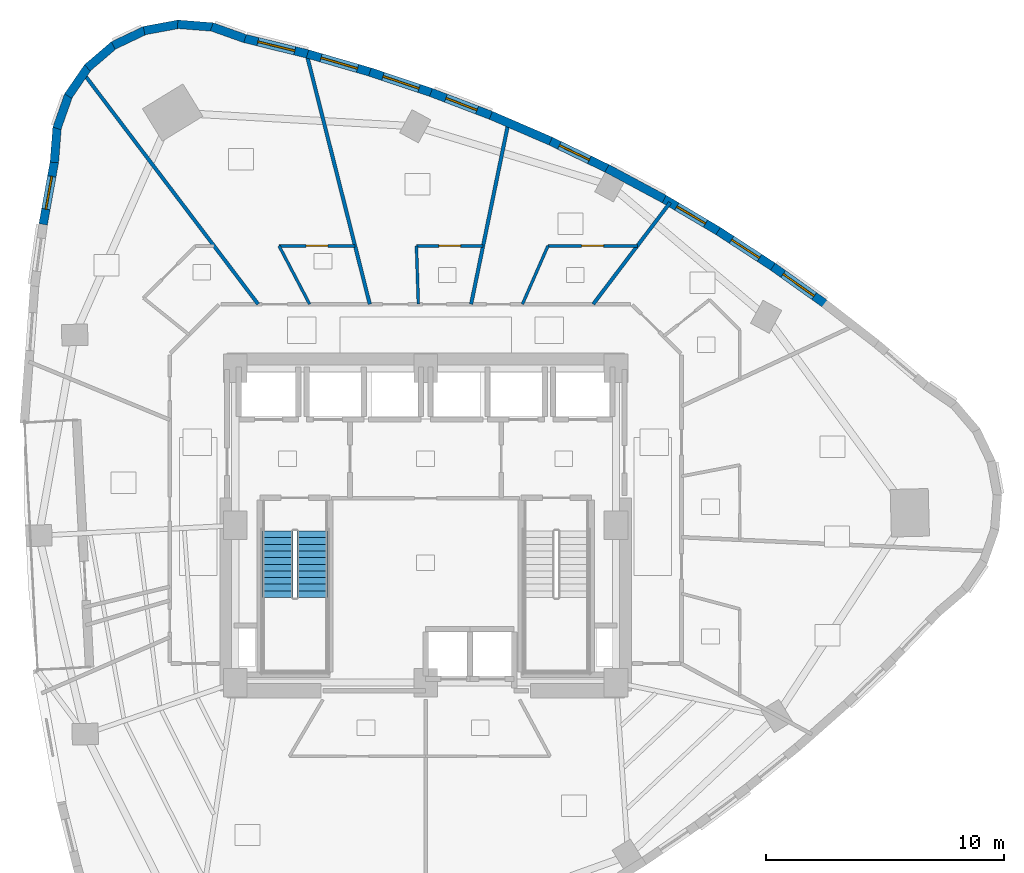
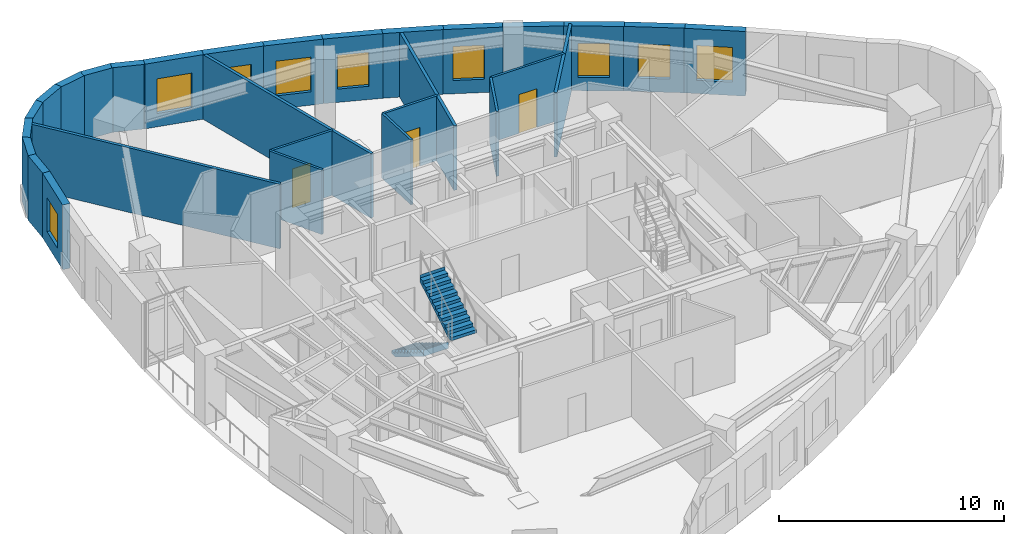
# One storey, part 8 of 12: 29 walls, 9 windows, 3 doors, 2 stair flights, 12 openings, 1 element without a shape of its own.
"""IFC4 building model written with IfcOpenShell, lengths in metres."""

import ifcopenshell
import ifcopenshell.guid

model = None  # the IFC model being written
_history = None  # IfcOwnerHistory: only IFC2X3 demands one
_inside = {}  # id of a spatial element -> (the spatial element, [elements in it])
_under = {}  # id of a project, library or spatial element -> (it, [spatial elements below it])
_declared = {}  # id of a project -> (the project, [libraries it declares])
_typed = {}  # id of a type object -> (the type object, [elements of that type])
_made_of = {}  # id of a material, layer set ... -> (it, [elements and type objects made of it])


def new_model(schema):
    """Start an empty IFC model of exactly this schema.

    Asked for "IFC4X3", IfcOpenShell would pick the latest addendum, in which some entities
    have other attributes; the version numbers below select the first issue.
    IFC2X3 requires an IfcOwnerHistory on every rooted entity: one is made here for all.
    """
    global model, _history
    if schema == "IFC4X3":
        model = ifcopenshell.file(schema_version=(4, 3, 0, 0))
    else:
        model = ifcopenshell.file(schema=schema)
    _inside.clear()
    _under.clear()
    _declared.clear()
    _typed.clear()
    _made_of.clear()
    _history = None
    if model.schema == "IFC2X3":
        org = make("IfcOrganization", Name="unknown")
        user = make(
            "IfcPersonAndOrganization",
            ThePerson=make("IfcPerson", FamilyName="unknown"),
            TheOrganization=org,
        )
        app = make(
            "IfcApplication",
            ApplicationDeveloper=org,
            Version="unknown",
            ApplicationFullName="unknown",
            ApplicationIdentifier="unknown",
        )
        _history = make(
            "IfcOwnerHistory",
            OwningUser=user,
            OwningApplication=app,
            ChangeAction="ADDED",
            CreationDate=0,
        )
    return model


def make(cls, **values):
    """One entity of the class cls with the attributes given. An attribute that is None is left unset."""
    return model.create_entity(
        cls, **{name: value for name, value in values.items() if value is not None}
    )


def rooted(cls, **values):
    """An entity with a GlobalId (a new one), such as an element, a storey or a relation."""
    return make(cls, GlobalId=ifcopenshell.guid.new(), OwnerHistory=_history, **values)


def si_unit(unit_type, name, prefix=None):
    """IfcSIUnit, for example si_unit("LENGTHUNIT", "METRE", prefix="MILLI")."""
    return make("IfcSIUnit", UnitType=unit_type, Prefix=prefix, Name=name)


def assignment(units):
    """IfcUnitAssignment: the units of a project."""
    return None if units is None else make("IfcUnitAssignment", Units=units)


def point(xyz):
    """IfcCartesianPoint."""
    return None if xyz is None else make("IfcCartesianPoint", Coordinates=xyz)


def direction(xyz):
    """IfcDirection."""
    return None if xyz is None else make("IfcDirection", DirectionRatios=xyz)


def frame(location, z_axis=None, x_axis=None):
    """IfcAxis2Placement3D, a coordinate frame: its origin and axes. An axis left out is left unset."""
    return make(
        "IfcAxis2Placement3D",
        Location=point(location),
        Axis=direction(z_axis),
        RefDirection=direction(x_axis),
    )


def frame_2d(location, x_axis=None):
    """IfcAxis2Placement2D, a coordinate frame in the plane: its origin and x axis."""
    return make(
        "IfcAxis2Placement2D", Location=point(location), RefDirection=direction(x_axis)
    )


def origin():
    """The frame at (0, 0, 0) with its axes left unset."""
    return frame((0.0, 0.0, 0.0))


def place(relative_to, where):
    """IfcLocalPlacement: puts the frame where relative to a parent placement (None: the world)."""
    return make(
        "IfcLocalPlacement", PlacementRelTo=relative_to, RelativePlacement=where
    )


def context(
    kind, dimensions, precision=None, world=None, true_north=None, identifier=None
):
    """IfcGeometricRepresentationContext, for example the 3D "Model" context."""
    return make(
        "IfcGeometricRepresentationContext",
        ContextIdentifier=identifier,
        ContextType=kind,
        CoordinateSpaceDimension=dimensions,
        Precision=precision,
        WorldCoordinateSystem=world,
        TrueNorth=true_north,
    )


def subcontext(parent, identifier, kind, view, scale=None):
    """IfcGeometricRepresentationSubContext, for example "Body" below "Model"."""
    return make(
        "IfcGeometricRepresentationSubContext",
        ContextIdentifier=identifier,
        ContextType=kind,
        ParentContext=parent,
        TargetScale=scale,
        TargetView=view,
    )


def project(units=None, contexts=None):
    """IfcProject with its units and contexts."""
    return rooted(
        "IfcProject",
        Name="project",
        RepresentationContexts=contexts,
        UnitsInContext=assignment(units),
    )


def spatial(cls, under=None, at=None, **own):
    """A site, building, storey or space (cls), placed at a placement, below another one or the project."""
    s = rooted(cls, ObjectPlacement=at, **own)
    if under is not None:
        _under.setdefault(under.id(), (under, []))[1].append(s)
    return s


def polyline(points):
    """IfcPolyline through the points."""
    return make("IfcPolyline", Points=[point(p) for p in points])


def profile(cls, at=None, kind="AREA", **sizes):
    """A parametric profile (cls). Its sizes go by their IFC names, for example OverallWidth=200.0."""
    return make(cls, ProfileType=kind, Position=at, **sizes)


def rectangle(**sizes):
    """IfcRectangleProfileDef."""
    return profile("IfcRectangleProfileDef", **sizes)


def outline(outer, holes=None, kind="AREA"):
    """IfcArbitraryClosedProfileDef: a profile drawn as a closed curve; with holes, ...WithVoids."""
    if holes is None:
        return make("IfcArbitraryClosedProfileDef", ProfileType=kind, OuterCurve=outer)
    return make(
        "IfcArbitraryProfileDefWithVoids",
        ProfileType=kind,
        OuterCurve=outer,
        InnerCurves=holes,
    )


def extrude(swept, where, along, depth):
    """IfcExtrudedAreaSolid: the profile swept, set in the frame where, extruded along a direction by depth."""
    return make(
        "IfcExtrudedAreaSolid",
        SweptArea=swept,
        Position=where,
        ExtrudedDirection=direction(along),
        Depth=depth,
    )


def shape(context_of_items, identifier, shape_type, items):
    """IfcShapeRepresentation: the items that make up one representation, for example the "Body"."""
    return make(
        "IfcShapeRepresentation",
        ContextOfItems=context_of_items,
        RepresentationIdentifier=identifier,
        RepresentationType=shape_type,
        Items=items,
    )


def material(Name=None, Category=None):
    """IfcMaterial."""
    return make("IfcMaterial", Name=Name, Category=Category)


def layer(
    of_material, thickness, ventilated=None, Name=None, Category=None, Priority=None
):
    """IfcMaterialLayer: one layer of a wall or slab, of a material (None: an air gap)."""
    return make(
        "IfcMaterialLayer",
        Material=of_material,
        LayerThickness=thickness,
        IsVentilated=ventilated,
        Name=Name,
        Category=Category,
        Priority=Priority,
    )


def layer_set(layers, Name=None):
    """IfcMaterialLayerSet."""
    return make("IfcMaterialLayerSet", MaterialLayers=layers, LayerSetName=Name)


def made_of(thing, what):
    """Note that an element or type object is made of a material, layer set ...; save() writes the relation."""
    if what is not None:
        _made_of.setdefault(what.id(), (what, []))[1].append(thing)
    return thing


def type_object(cls, material=None, **own):
    """A type object (cls), such as IfcWallType, which elements share."""
    return made_of(rooted(cls, **own), material)


def element(
    cls,
    number,
    at=None,
    inside=None,
    cuts=None,
    type_object=None,
    material=None,
    context=None,
    identifier="Body",
    shape_type=None,
    held_by="IfcProductDefinitionShape",
    body=None,
    shapes=None,
    **own,
):
    """One element of the class cls, such as IfcWall. Its Tag is "e" and its number.

    at: its placement. inside: the storey or other place that contains it. cuts: it is an
    opening in that element (IfcRelVoidsElement). A single representation is given by context,
    identifier, shape_type and body (its items); several are given by shapes. held_by: the class
    of the entity that holds the representations. save() writes the other relations.
    """
    e = rooted(cls, Tag="e%d" % number, ObjectPlacement=at, **own)
    if body is not None:
        shapes = [shape(context, identifier, shape_type, body)]
    if shapes is not None:
        e.Representation = make(held_by, Representations=shapes)
    if inside is not None:
        _inside.setdefault(inside.id(), (inside, []))[1].append(e)
    if cuts is not None:
        rooted(
            "IfcRelVoidsElement", RelatingBuildingElement=cuts, RelatedOpeningElement=e
        )
    if type_object is not None:
        _typed.setdefault(type_object.id(), (type_object, []))[1].append(e)
    return made_of(e, material)


def fill(opening, filler):
    """IfcRelFillsElement: the door or window that sits in an opening."""
    return rooted(
        "IfcRelFillsElement",
        RelatingOpeningElement=opening,
        RelatedBuildingElement=filler,
    )


def aggregate(whole, parts):
    """IfcRelAggregates: a whole, such as a stair, and the parts it consists of."""
    return rooted("IfcRelAggregates", RelatingObject=whole, RelatedObjects=parts)


def save(model, path):
    """Write the relations noted so far, then the file.

    IfcRelAggregates (storeys below a building ...), IfcRelContainedInSpatialStructure (elements
    in a storey), IfcRelDefinesByType, IfcRelAssociatesMaterial and IfcRelDeclares: one each for
    every whole, place, type object, material and project.
    """
    for whole, parts in _under.values():
        aggregate(whole, parts)
    for where, things in _inside.values():
        rooted(
            "IfcRelContainedInSpatialStructure",
            RelatedElements=things,
            RelatingStructure=where,
        )
    for kind, things in _typed.values():
        rooted("IfcRelDefinesByType", RelatedObjects=things, RelatingType=kind)
    for what, things in _made_of.values():
        rooted("IfcRelAssociatesMaterial", RelatedObjects=things, RelatingMaterial=what)
    for by, libraries in _declared.values():
        rooted("IfcRelDeclares", RelatingContext=by, RelatedDefinitions=libraries)
    model.write(path)


model = new_model("IFC4")

# Units and contexts
model_context = context("Model", 3, precision=1e-05, world=origin(), true_north=direction((0.0, 1.0)))
body_context = subcontext(model_context, "Body", "Model", "MODEL_VIEW")
ifc_project = project(units=[si_unit("LENGTHUNIT", "METRE"), si_unit("AREAUNIT", "SQUARE_METRE"), si_unit("VOLUMEUNIT", "CUBIC_METRE"), si_unit("PLANEANGLEUNIT", "RADIAN"), si_unit("MASSUNIT", "GRAM", prefix="KILO")], contexts=[model_context])

# Site, building, storey
site_placement = place(None, origin())
site = spatial("IfcSite", under=ifc_project, at=site_placement, CompositionType="ELEMENT")
building_placement = place(site_placement, origin())
building = spatial("IfcBuilding", under=site, at=building_placement, Name="Ndelora Gate Hotel", CompositionType="ELEMENT")
storey_placement = place(building_placement, frame((0.0, 0.0, 138.5)))
storey = spatial("IfcBuildingStorey", under=building, at=storey_placement, Name="L34", CompositionType="ELEMENT", Elevation=138.5)

# Walls
ifc_material_1 = material(Name="Clay Brick Masonry", Category="masonry")
ifc_layer_1 = layer(ifc_material_1, 0.360107421875)
ifc_layer_set_1 = layer_set([ifc_layer_1], Name="Clay Brick Masonry")
wall_type_1 = type_object("IfcWallType", Name="WL-BRICK-360", PredefinedType="SOLIDWALL", material=ifc_layer_set_1)
for number, where, z_axis, x_axis, name in (
    (1, (-8.98876953125, 20.9541015625, 0.0), (0.0, 0.0, 1.0), (0.942671384708, -0.33372243025, 0.0), "L34 Tower Brick Pier-and-Spandrel Wall TWR-1"),
    (2, (-10.42138671875, 21.060546875, 0.0), (0.0, 0.0, 1.0), (0.996910688745, -0.078543482647, 0.0), "L34 Tower Brick Pier-and-Spandrel Wall TWR-2"),
):
    element("IfcWall", number, at=place(storey_placement, frame(where, z_axis=z_axis, x_axis=x_axis)), inside=storey, type_object=wall_type_1, Name=name, PredefinedType="SOLIDWALL", context=body_context, shape_type="SweptSolid", body=[
        extrude(rectangle(XDim=1.48583984375, YDim=0.360107421875, at=frame_2d((0.742919921875, 0.0))), origin(), (0.0, 0.0, 1.0), 3.5),
    ])
wall_1_placement = place(storey_placement, frame((-11.8330078125, 20.792236328125, 0.0), z_axis=(0.0, 0.0, 1.0), x_axis=(0.983262389335, 0.182195152844, 0.0)))
element("IfcWall", 3, at=wall_1_placement, inside=storey, type_object=wall_type_1, Name="L34 Tower Brick Pier-and-Spandrel Wall TWR-3", PredefinedType="SOLIDWALL", context=body_context, shape_type="SweptSolid", body=[
    extrude(rectangle(XDim=1.486083984375, YDim=0.360107421875, at=frame_2d((0.7431640625, 0.0))), origin(), (0.0, 0.0, 1.0), 3.5),
])
for number, where, z_axis, x_axis, name in (
    (4, (-13.126708984375, 20.16796875, 0.0), (0.0, 0.0, 1.0), (0.902586982789, 0.430507535938, 0.0), "L34 Tower Brick Pier-and-Spandrel Wall TWR-4"),
    (5, (-14.215087890625, 19.22998046875, 0.0), (0.0, 0.0, 1.0), (0.760461582144, 0.649382924078, 0.0), "L34 Tower Brick Pier-and-Spandrel Wall TWR-5"),
):
    element("IfcWall", number, at=place(storey_placement, frame(where, z_axis=z_axis, x_axis=x_axis)), inside=storey, type_object=wall_type_1, Name=name, PredefinedType="SOLIDWALL", context=body_context, shape_type="SweptSolid", body=[
        extrude(rectangle(XDim=1.48583984375, YDim=0.360107421875, at=frame_2d((0.742919921875, 0.0))), origin(), (0.0, 0.0, 1.0), 3.5),
    ])
wall_2_placement = place(storey_placement, frame((-15.0234375, 18.04248046875, 0.0), z_axis=(0.0, 0.0, 1.0), x_axis=(0.566438155808, 0.824104250472, 0.0)))
element("IfcWall", 6, at=wall_2_placement, inside=storey, type_object=wall_type_1, Name="L34 Tower Brick Pier-and-Spandrel Wall TWR-6", PredefinedType="SOLIDWALL", context=body_context, shape_type="SweptSolid", body=[
    extrude(rectangle(XDim=1.485595703125, YDim=0.360107421875, at=frame_2d((0.74267578125, 0.0))), origin(), (0.0, 0.0, 1.0), 3.5),
])
wall_3_placement = place(storey_placement, frame((-15.496826171875, 16.685791015625, 0.0), z_axis=(0.0, 0.0, 1.0), x_axis=(0.333670746008, 0.942689680254, 0.0)))
element("IfcWall", 7, at=wall_3_placement, inside=storey, type_object=wall_type_1, Name="L34 Tower Brick Pier-and-Spandrel Wall TWR-7", PredefinedType="SOLIDWALL", context=body_context, shape_type="SweptSolid", body=[
    extrude(rectangle(XDim=1.486083984375, YDim=0.360107421875, at=frame_2d((0.7431640625, 0.0))), origin(), (0.0, 0.0, 1.0), 3.5),
])
wall_4_placement = place(storey_placement, frame((-15.60302734375, 15.25341796875, 0.0), z_axis=(0.0, 0.0, 1.0), x_axis=(0.078393018091, 0.996922531952, 0.0)))
element("IfcWall", 8, at=wall_4_placement, inside=storey, type_object=wall_type_1, Name="L34 Tower Brick Pier-and-Spandrel Wall TWR-8", PredefinedType="SOLIDWALL", context=body_context, shape_type="SweptSolid", body=[
    extrude(rectangle(XDim=1.485595703125, YDim=0.360107421875, at=frame_2d((0.74267578125, 0.0))), origin(), (0.0, 0.0, 1.0), 3.5),
])

# Wall, opening, window
wall_5_placement = place(storey_placement, frame((-16.073486328125, 12.65380859375, 0.0), z_axis=(0.0, 0.0, 1.0), x_axis=(0.177152998315, 0.984183323974, 0.0)))
wall_5 = element("IfcWall", 9, at=wall_5_placement, inside=storey, type_object=wall_type_1, Name="L34 Tower Brick Pier-and-Spandrel Wall TWR-9", PredefinedType="SOLIDWALL", context=body_context, shape_type="SweptSolid", body=[
    extrude(rectangle(XDim=2.69140625, YDim=0.360107421875, at=frame_2d((1.345703125, 0.0))), origin(), (0.0, 0.0, 1.0), 3.5),
])
opening_1_placement = place(wall_5_placement, frame((0.64599609375, 0.0, 0.719970703125)))
opening_1 = element("IfcOpeningElement", 10, at=opening_1_placement, cuts=wall_5, Name="Opening W02", PredefinedType="OPENING", context=body_context, shape_type="SweptSolid", body=[
    extrude(rectangle(XDim=1.39990234375, YDim=1.840087890625, at=frame_2d((0.699951171875, 0.919921875))), frame((0.0, 0.18994140625, 0.0), z_axis=(0.0, -1.0, 0.0), x_axis=(1.0, 0.0, 0.0)), (0.0, 0.0, 1.0), 0.380126953125),
])
ifc_material_2 = material(Name="Insulated Low-E Double Glazing in Bronze Aluminium Frame", Category="aluminium")
window_type_1 = type_object("IfcWindowType", Name="WN-DEEP-1400", PartitioningType="SINGLE_PANEL", PredefinedType="WINDOW", material=ifc_material_2)
window_1_placement = place(opening_1_placement, origin())
window_1 = element("IfcWindow", 11, at=window_1_placement, inside=storey, type_object=window_type_1, Name="L34 Deep-Set Brick-Pier Window W02", OverallHeight=1.840087890625, OverallWidth=1.39990234375, PartitioningType="SINGLE_PANEL", PredefinedType="WINDOW", context=body_context, shape_type="SweptSolid", body=[
    extrude(rectangle(XDim=1.39990234375, YDim=1.840087890625, at=frame_2d((0.699951171875, 0.919921875))), frame((0.0, 0.030029296875, 0.0), z_axis=(0.0, -1.0, 0.0), x_axis=(1.0, 0.0, 0.0)), (0.0, 0.0, 1.0), 0.06005859375),
])
fill(opening_1, window_1)

wall_6_placement = place(storey_placement, frame((14.548583984375, 10.905029296875, 0.0), z_axis=(0.0, 0.0, 1.0), x_axis=(0.814510150839, -0.580149303352, 0.0)))
wall_6 = element("IfcWall", 12, at=wall_6_placement, inside=storey, type_object=wall_type_1, Name="L34 Tower Brick Pier-and-Spandrel Wall TWR-49", PredefinedType="SOLIDWALL", context=body_context, shape_type="SweptSolid", body=[
    extrude(rectangle(XDim=2.758544921875, YDim=0.360107421875, at=frame_2d((1.37939453125, 0.0))), origin(), (0.0, 0.0, 1.0), 3.5),
])
opening_2_placement = place(wall_6_placement, frame((0.5791015625, 0.0, 0.719970703125)))
opening_2 = element("IfcOpeningElement", 13, at=opening_2_placement, cuts=wall_6, Name="Opening W03", PredefinedType="OPENING", context=body_context, shape_type="SweptSolid", body=[
    extrude(rectangle(XDim=1.60009765625, YDim=1.8798828125, at=frame_2d((0.800048828125, 0.93994140625))), frame((0.0, 0.18994140625, 0.0), z_axis=(0.0, -1.0, 0.0), x_axis=(1.0, 0.0, 0.0)), (0.0, 0.0, 1.0), 0.380126953125),
])
window_type_2 = type_object("IfcWindowType", Name="WN-CORN-2100", PartitioningType="SINGLE_PANEL", PredefinedType="WINDOW", material=ifc_material_2)
window_2_placement = place(opening_2_placement, origin())
window_2 = element("IfcWindow", 14, at=window_2_placement, inside=storey, type_object=window_type_2, Name="L34 Deep-Set Brick-Pier Window W03", OverallHeight=1.8798828125, OverallWidth=1.60009765625, PartitioningType="SINGLE_PANEL", PredefinedType="WINDOW", context=body_context, shape_type="SweptSolid", body=[
    extrude(rectangle(XDim=1.60009765625, YDim=1.8798828125, at=frame_2d((0.800048828125, 0.93994140625))), frame((0.0, 0.030029296875, 0.0), z_axis=(0.0, -1.0, 0.0), x_axis=(1.0, 0.0, 0.0)), (0.0, 0.0, 1.0), 0.06005859375),
])
fill(opening_2, window_2)

wall_7_placement = place(storey_placement, frame((12.290283203125, 12.3740234375, 0.0), z_axis=(0.0, 0.0, 1.0), x_axis=(0.838077548848, -0.545551117785, 0.0)))
wall_7 = element("IfcWall", 15, at=wall_7_placement, inside=storey, type_object=wall_type_1, Name="L34 Tower Brick Pier-and-Spandrel Wall TWR-50", PredefinedType="SOLIDWALL", context=body_context, shape_type="SweptSolid", body=[
    extrude(rectangle(XDim=2.744140625, YDim=0.360107421875, at=frame_2d((1.3720703125, 0.0))), origin(), (0.0, 0.0, 1.0), 3.5),
])
opening_3_placement = place(wall_7_placement, frame((0.672119140625, 0.0, 0.719970703125)))
opening_3 = element("IfcOpeningElement", 16, at=opening_3_placement, cuts=wall_7, Name="Opening W02", PredefinedType="OPENING", context=body_context, shape_type="SweptSolid", body=[
    extrude(rectangle(XDim=1.39990234375, YDim=1.840087890625, at=frame_2d((0.699951171875, 0.919921875))), frame((0.0, 0.18994140625, 0.0), z_axis=(0.0, -1.0, 0.0), x_axis=(1.0, 0.0, 0.0)), (0.0, 0.0, 1.0), 0.380126953125),
])
window_3_placement = place(opening_3_placement, origin())
window_3 = element("IfcWindow", 17, at=window_3_placement, inside=storey, type_object=window_type_1, Name="L34 Deep-Set Brick-Pier Window W02", OverallHeight=1.840087890625, OverallWidth=1.39990234375, PartitioningType="SINGLE_PANEL", PredefinedType="WINDOW", context=body_context, shape_type="SweptSolid", body=[
    extrude(rectangle(XDim=1.39990234375, YDim=1.840087890625, at=frame_2d((0.699951171875, 0.919921875))), frame((0.0, 0.030029296875, 0.0), z_axis=(0.0, -1.0, 0.0), x_axis=(1.0, 0.0, 0.0)), (0.0, 0.0, 1.0), 0.06005859375),
])
fill(opening_3, window_3)

wall_8_placement = place(storey_placement, frame((9.980224609375, 13.741455078125, 0.0), z_axis=(0.0, 0.0, 1.0), x_axis=(0.860339389624, -0.509721624675, 0.0)))
wall_8 = element("IfcWall", 18, at=wall_8_placement, inside=storey, type_object=wall_type_1, Name="L34 Tower Brick Pier-and-Spandrel Wall TWR-51", PredefinedType="SOLIDWALL", context=body_context, shape_type="SweptSolid", body=[
    extrude(rectangle(XDim=2.734375, YDim=0.360107421875, at=frame_2d((1.3671875, 0.0))), origin(), (0.0, 0.0, 1.0), 3.5),
])
opening_4_placement = place(wall_8_placement, frame((0.667236328125, 0.0, 0.719970703125)))
opening_4 = element("IfcOpeningElement", 19, at=opening_4_placement, cuts=wall_8, Name="Opening W02", PredefinedType="OPENING", context=body_context, shape_type="SweptSolid", body=[
    extrude(rectangle(XDim=1.39990234375, YDim=1.840087890625, at=frame_2d((0.699951171875, 0.919921875))), frame((0.0, 0.18994140625, 0.0), z_axis=(0.0, -1.0, 0.0), x_axis=(1.0, 0.0, 0.0)), (0.0, 0.0, 1.0), 0.380126953125),
])
window_4_placement = place(opening_4_placement, origin())
window_4 = element("IfcWindow", 20, at=window_4_placement, inside=storey, type_object=window_type_1, Name="L34 Deep-Set Brick-Pier Window W02", OverallHeight=1.840087890625, OverallWidth=1.39990234375, PartitioningType="SINGLE_PANEL", PredefinedType="WINDOW", context=body_context, shape_type="SweptSolid", body=[
    extrude(rectangle(XDim=1.39990234375, YDim=1.840087890625, at=frame_2d((0.699951171875, 0.919921875))), frame((0.0, 0.030029296875, 0.0), z_axis=(0.0, -1.0, 0.0), x_axis=(1.0, 0.0, 0.0)), (0.0, 0.0, 1.0), 0.06005859375),
])
fill(opening_4, window_4)

# Wall
wall_9_placement = place(storey_placement, frame((7.61865234375, 15.007568359375, 0.0), z_axis=(0.0, 0.0, 1.0), x_axis=(0.881156632258, -0.472824480572, 0.0)))
element("IfcWall", 21, at=wall_9_placement, inside=storey, type_object=wall_type_1, Name="L34 Tower Brick Pier-and-Spandrel Wall TWR-52", PredefinedType="SOLIDWALL", context=body_context, shape_type="SweptSolid", body=[
    extrude(rectangle(XDim=2.7294921875, YDim=0.360107421875, at=frame_2d((1.36474609375, 0.0))), origin(), (0.0, 0.0, 1.0), 3.5),
])

# Wall, opening, window
wall_10_placement = place(storey_placement, frame((5.205322265625, 16.172119140625, 0.0), z_axis=(0.0, 0.0, 1.0), x_axis=(0.900444136685, -0.434971673458, 0.0)))
wall_10 = element("IfcWall", 22, at=wall_10_placement, inside=storey, type_object=wall_type_1, Name="L34 Tower Brick Pier-and-Spandrel Wall TWR-53", PredefinedType="SOLIDWALL", context=body_context, shape_type="SweptSolid", body=[
    extrude(rectangle(XDim=2.7294921875, YDim=0.360107421875, at=frame_2d((1.36474609375, 0.0))), origin(), (0.0, 0.0, 1.0), 3.5),
])
opening_5_placement = place(wall_10_placement, frame((0.4599609375, 0.0, 0.719970703125)))
opening_5 = element("IfcOpeningElement", 23, at=opening_5_placement, cuts=wall_10, Name="Opening W02", PredefinedType="OPENING", context=body_context, shape_type="SweptSolid", body=[
    extrude(rectangle(XDim=1.39990234375, YDim=1.840087890625, at=frame_2d((0.699951171875, 0.919921875))), frame((0.0, 0.18994140625, 0.0), z_axis=(0.0, -1.0, 0.0), x_axis=(1.0, 0.0, 0.0)), (0.0, 0.0, 1.0), 0.380126953125),
])
window_5_placement = place(opening_5_placement, origin())
window_5 = element("IfcWindow", 24, at=window_5_placement, inside=storey, type_object=window_type_1, Name="L34 Deep-Set Brick-Pier Window W02", OverallHeight=1.840087890625, OverallWidth=1.39990234375, PartitioningType="SINGLE_PANEL", PredefinedType="WINDOW", context=body_context, shape_type="SweptSolid", body=[
    extrude(rectangle(XDim=1.39990234375, YDim=1.840087890625, at=frame_2d((0.699951171875, 0.919921875))), frame((0.0, 0.030029296875, 0.0), z_axis=(0.0, -1.0, 0.0), x_axis=(1.0, 0.0, 0.0)), (0.0, 0.0, 1.0), 0.06005859375),
])
fill(opening_5, window_5)

# Wall
wall_11_placement = place(storey_placement, frame((2.740478515625, 17.235107421875, 0.0), z_axis=(0.0, 0.0, 1.0), x_axis=(0.918107397743, -0.396331687113, 0.0)))
element("IfcWall", 25, at=wall_11_placement, inside=storey, type_object=wall_type_1, Name="L34 Tower Brick Pier-and-Spandrel Wall TWR-54", PredefinedType="SOLIDWALL", context=body_context, shape_type="SweptSolid", body=[
    extrude(rectangle(XDim=2.734375, YDim=0.360107421875, at=frame_2d((1.3671875, 0.0))), origin(), (0.0, 0.0, 1.0), 3.5),
])

# Wall, opening, window
wall_12_placement = place(storey_placement, frame((0.223876953125, 18.19677734375, 0.0), z_axis=(0.0, 0.0, 1.0), x_axis=(0.933979359079, -0.357326960661, 0.0)))
wall_12 = element("IfcWall", 26, at=wall_12_placement, inside=storey, type_object=wall_type_1, Name="L34 Tower Brick Pier-and-Spandrel Wall TWR-55", PredefinedType="SOLIDWALL", context=body_context, shape_type="SweptSolid", body=[
    extrude(rectangle(XDim=2.743896484375, YDim=0.360107421875, at=frame_2d((1.3720703125, 0.0))), origin(), (0.0, 0.0, 1.0), 3.5),
])
opening_6_placement = place(wall_12_placement, frame((0.672119140625, 0.0, 0.719970703125)))
opening_6 = element("IfcOpeningElement", 27, at=opening_6_placement, cuts=wall_12, Name="Opening W02", PredefinedType="OPENING", context=body_context, shape_type="SweptSolid", body=[
    extrude(rectangle(XDim=1.39990234375, YDim=1.840087890625, at=frame_2d((0.699951171875, 0.919921875))), frame((0.0, 0.18994140625, 0.0), z_axis=(0.0, -1.0, 0.0), x_axis=(1.0, 0.0, 0.0)), (0.0, 0.0, 1.0), 0.380126953125),
])
window_6_placement = place(opening_6_placement, origin())
window_6 = element("IfcWindow", 28, at=window_6_placement, inside=storey, type_object=window_type_1, Name="L34 Deep-Set Brick-Pier Window W02", OverallHeight=1.840087890625, OverallWidth=1.39990234375, PartitioningType="SINGLE_PANEL", PredefinedType="WINDOW", context=body_context, shape_type="SweptSolid", body=[
    extrude(rectangle(XDim=1.39990234375, YDim=1.840087890625, at=frame_2d((0.699951171875, 0.919921875))), frame((0.0, 0.030029296875, 0.0), z_axis=(0.0, -1.0, 0.0), x_axis=(1.0, 0.0, 0.0)), (0.0, 0.0, 1.0), 0.06005859375),
])
fill(opening_6, window_6)

wall_13_placement = place(storey_placement, frame((-2.344482421875, 19.056884765625, 0.0), z_axis=(0.0, 0.0, 1.0), x_axis=(0.948124259455, -0.317899966393, 0.0)))
wall_13 = element("IfcWall", 29, at=wall_13_placement, inside=storey, type_object=wall_type_1, Name="L34 Tower Brick Pier-and-Spandrel Wall TWR-56", PredefinedType="SOLIDWALL", context=body_context, shape_type="SweptSolid", body=[
    extrude(rectangle(XDim=2.758544921875, YDim=0.360107421875, at=frame_2d((1.37939453125, 0.0))), origin(), (0.0, 0.0, 1.0), 3.5),
])
opening_7_placement = place(wall_13_placement, frame((0.579345703125, 0.0, 0.719970703125)))
opening_7 = element("IfcOpeningElement", 30, at=opening_7_placement, cuts=wall_13, Name="Opening W01", PredefinedType="OPENING", context=body_context, shape_type="SweptSolid", body=[
    extrude(rectangle(XDim=1.60009765625, YDim=1.8798828125, at=frame_2d((0.800048828125, 0.93994140625))), frame((0.0, 0.18994140625, 0.0), z_axis=(0.0, -1.0, 0.0), x_axis=(1.0, 0.0, 0.0)), (0.0, 0.0, 1.0), 0.380126953125),
])
window_type_3 = type_object("IfcWindowType", Name="WN-DEEP-1600", PartitioningType="SINGLE_PANEL", PredefinedType="WINDOW", material=ifc_material_2)
window_7_placement = place(opening_7_placement, origin())
window_7 = element("IfcWindow", 31, at=window_7_placement, inside=storey, type_object=window_type_3, Name="L34 Deep-Set Brick-Pier Window W01", OverallHeight=1.8798828125, OverallWidth=1.60009765625, PartitioningType="SINGLE_PANEL", PredefinedType="WINDOW", context=body_context, shape_type="SweptSolid", body=[
    extrude(rectangle(XDim=1.60009765625, YDim=1.8798828125, at=frame_2d((0.800048828125, 0.93994140625))), frame((0.0, 0.030029296875, 0.0), z_axis=(0.0, -1.0, 0.0), x_axis=(1.0, 0.0, 0.0)), (0.0, 0.0, 1.0), 0.06005859375),
])
fill(opening_7, window_7)

wall_14_placement = place(storey_placement, frame((-4.96435546875, 19.8154296875, 0.0), z_axis=(0.0, 0.0, 1.0), x_axis=(0.960441835692, -0.278480664056, 0.0)))
wall_14 = element("IfcWall", 32, at=wall_14_placement, inside=storey, type_object=wall_type_1, Name="L34 Tower Brick Pier-and-Spandrel Wall TWR-57", PredefinedType="SOLIDWALL", context=body_context, shape_type="SweptSolid", body=[
    extrude(rectangle(XDim=2.77734375, YDim=0.360107421875, at=frame_2d((1.388671875, 0.0))), origin(), (0.0, 0.0, 1.0), 3.5),
])
opening_8_placement = place(wall_14_placement, frame((0.588623046875, 0.0, 0.719970703125)))
opening_8 = element("IfcOpeningElement", 33, at=opening_8_placement, cuts=wall_14, Name="Opening W03", PredefinedType="OPENING", context=body_context, shape_type="SweptSolid", body=[
    extrude(rectangle(XDim=1.60009765625, YDim=1.8798828125, at=frame_2d((0.800048828125, 0.93994140625))), frame((0.0, 0.18994140625, 0.0), z_axis=(0.0, -1.0, 0.0), x_axis=(1.0, 0.0, 0.0)), (0.0, 0.0, 1.0), 0.380126953125),
])
window_8_placement = place(opening_8_placement, origin())
window_8 = element("IfcWindow", 34, at=window_8_placement, inside=storey, type_object=window_type_2, Name="L34 Deep-Set Brick-Pier Window W03", OverallHeight=1.8798828125, OverallWidth=1.60009765625, PartitioningType="SINGLE_PANEL", PredefinedType="WINDOW", context=body_context, shape_type="SweptSolid", body=[
    extrude(rectangle(XDim=1.60009765625, YDim=1.8798828125, at=frame_2d((0.800048828125, 0.93994140625))), frame((0.0, 0.030029296875, 0.0), z_axis=(0.0, -1.0, 0.0), x_axis=(1.0, 0.0, 0.0)), (0.0, 0.0, 1.0), 0.06005859375),
])
fill(opening_8, window_8)

wall_15_placement = place(storey_placement, frame((-7.635986328125, 20.472412109375, 0.0), z_axis=(0.0, 0.0, 1.0), x_axis=(0.970982505779, -0.239150524716, 0.0)))
wall_15 = element("IfcWall", 35, at=wall_15_placement, inside=storey, type_object=wall_type_1, Name="L34 Tower Brick Pier-and-Spandrel Wall TWR-58", PredefinedType="SOLIDWALL", context=body_context, shape_type="SweptSolid", body=[
    extrude(rectangle(XDim=2.80126953125, YDim=0.360107421875, at=frame_2d((1.400634765625, 0.0))), origin(), (0.0, 0.0, 1.0), 3.5),
])
opening_9_placement = place(wall_15_placement, frame((0.6005859375, 0.0, 0.719970703125)))
opening_9 = element("IfcOpeningElement", 36, at=opening_9_placement, cuts=wall_15, Name="Opening W01", PredefinedType="OPENING", context=body_context, shape_type="SweptSolid", body=[
    extrude(rectangle(XDim=1.60009765625, YDim=1.8798828125, at=frame_2d((0.800048828125, 0.93994140625))), frame((0.0, 0.18994140625, 0.0), z_axis=(0.0, -1.0, 0.0), x_axis=(1.0, 0.0, 0.0)), (0.0, 0.0, 1.0), 0.380126953125),
])
window_9_placement = place(opening_9_placement, origin())
window_9 = element("IfcWindow", 37, at=window_9_placement, inside=storey, type_object=window_type_3, Name="L34 Deep-Set Brick-Pier Window W01", OverallHeight=1.8798828125, OverallWidth=1.60009765625, PartitioningType="SINGLE_PANEL", PredefinedType="WINDOW", context=body_context, shape_type="SweptSolid", body=[
    extrude(rectangle(XDim=1.60009765625, YDim=1.8798828125, at=frame_2d((0.800048828125, 0.93994140625))), frame((0.0, 0.030029296875, 0.0), z_axis=(0.0, -1.0, 0.0), x_axis=(1.0, 0.0, 0.0)), (0.0, 0.0, 1.0), 0.06005859375),
])
fill(opening_9, window_9)

# Walls
ifc_material_3 = material(Name="Fire-Rated Gypsum Stud Partition", Category="gypsum")
ifc_layer_2 = layer(ifc_material_3, 0.14990234375)
ifc_layer_set_2 = layer_set([ifc_layer_2], Name="Fire-Rated Gypsum Stud Partition")
wall_type_2 = type_object("IfcWallType", Name="WL-PART-150", PredefinedType="PARTITIONING", material=ifc_layer_set_2)
wall_16_placement = place(storey_placement, frame((7.040283203125, 9.300048828125, 0.0), z_axis=(0.0, 0.0, 1.0), x_axis=(0.603561778398, 0.797316235667, 0.0)))
element("IfcWall", 38, at=wall_16_placement, inside=storey, type_object=wall_type_2, Name="L34 Interior Wall IW-5", PredefinedType="PARTITIONING", context=body_context, shape_type="SweptSolid", body=[
    extrude(rectangle(XDim=5.35400390625, YDim=0.14990234375, at=frame_2d((2.677001953125, 0.0))), origin(), (0.0, 0.0, 1.0), 3.5),
])
wall_17_placement = place(storey_placement, frame((1.91015625, 9.300048828125, 0.0), z_axis=(0.0, 0.0, 1.0), x_axis=(0.201190538841, 0.97955212576, 0.0)))
element("IfcWall", 39, at=wall_17_placement, inside=storey, type_object=wall_type_2, Name="L34 Interior Wall IW-5", PredefinedType="PARTITIONING", context=body_context, shape_type="SweptSolid", body=[
    extrude(rectangle(XDim=7.777099609375, YDim=0.14990234375, at=frame_2d((3.888671875, 0.0))), origin(), (0.0, 0.0, 1.0), 3.5),
])
wall_18_placement = place(storey_placement, frame((-2.348388671875, 9.300048828125, 0.0), z_axis=(0.0, 0.0, 1.0), x_axis=(-0.244821157428, 0.969568254882, 0.0)))
element("IfcWall", 40, at=wall_18_placement, inside=storey, type_object=wall_type_2, Name="L34 Interior Wall IW-5", PredefinedType="PARTITIONING", context=body_context, shape_type="SweptSolid", body=[
    extrude(rectangle(XDim=10.854736328125, YDim=0.14990234375, at=frame_2d((5.42724609375, 0.0))), origin(), (0.0, 0.0, 1.0), 3.5),
])
wall_19_placement = place(storey_placement, frame((-7.040283203125, 9.300048828125, 0.0), z_axis=(0.0, 0.0, 1.0), x_axis=(-0.603569047372, 0.797310733061, 0.0)))
element("IfcWall", 41, at=wall_19_placement, inside=storey, type_object=wall_type_2, Name="L34 Interior Wall IW-5", PredefinedType="PARTITIONING", context=body_context, shape_type="SweptSolid", body=[
    extrude(rectangle(XDim=12.150146484375, YDim=0.14990234375, at=frame_2d((6.0751953125, 0.0))), origin(), (0.0, 0.0, 1.0), 3.5),
])
ifc_material_4 = material(Name="Moisture-Resistant Bathroom Tile Partition", Category="gypsum")
ifc_layer_3 = layer(ifc_material_4, 0.1201171875)
ifc_layer_set_3 = layer_set([ifc_layer_3], Name="Moisture-Resistant Bathroom Tile Partition")
wall_type_3 = type_object("IfcWallType", Name="WL-WET-120", PredefinedType="PARTITIONING", material=ifc_layer_set_3)
wall_20_placement = place(storey_placement, frame((4.068115234375, 9.300048828125, 0.0), z_axis=(0.0, 0.0, 1.0), x_axis=(0.400794887066, 0.916167811322, 0.0)))
element("IfcWall", 42, at=wall_20_placement, inside=storey, type_object=wall_type_3, Name="L34 Interior Wall IW-7", PredefinedType="PARTITIONING", context=body_context, shape_type="SweptSolid", body=[
    extrude(rectangle(XDim=2.674072265625, YDim=0.1201171875, at=frame_2d((1.3369140625, 0.0))), origin(), (0.0, 0.0, 1.0), 3.5),
])

# Wall, opening, door
wall_21_placement = place(storey_placement, frame((5.139892578125, 11.75, 0.0), z_axis=(0.0, 0.0, 1.0), x_axis=(1.0, 0.0, 0.0)))
wall_21 = element("IfcWall", 43, at=wall_21_placement, inside=storey, type_object=wall_type_3, Name="L34 Interior Wall IW-7", PredefinedType="PARTITIONING", context=body_context, shape_type="SweptSolid", body=[
    extrude(rectangle(XDim=3.755126953125, YDim=0.1201171875, at=frame_2d((1.87744140625, 0.0))), origin(), (0.0, 0.0, 1.0), 3.5),
])
opening_10_placement = place(wall_21_placement, frame((1.41748046875, 0.0, 0.0)))
opening_10 = element("IfcOpeningElement", 44, at=opening_10_placement, cuts=wall_21, Name="Opening D03", PredefinedType="OPENING", context=body_context, shape_type="SweptSolid", body=[
    extrude(rectangle(XDim=0.919921875, YDim=2.10009765625, at=frame_2d((0.4599609375, 1.050048828125))), frame((0.0, 0.070068359375, 0.0), z_axis=(0.0, -1.0, 0.0), x_axis=(1.0, 0.0, 0.0)), (0.0, 0.0, 1.0), 0.14013671875),
])
ifc_material_5 = material(Name="Moisture-Resistant Hardwood En-Suite Door", Category="wood")
door_type = type_object("IfcDoorType", Name="DR-BATH-920", OperationType="SINGLE_SWING_LEFT", PredefinedType="DOOR", material=ifc_material_5)
door_1_placement = place(opening_10_placement, origin())
door_1 = element("IfcDoor", 45, at=door_1_placement, inside=storey, type_object=door_type, Name="L34 En-suite Bathroom 3706 Door", OperationType="SINGLE_SWING_LEFT", OverallHeight=2.10009765625, OverallWidth=0.919921875, PredefinedType="DOOR", context=body_context, shape_type="SweptSolid", body=[
    extrude(rectangle(XDim=0.919921875, YDim=2.10009765625, at=frame_2d((0.4599609375, 1.050048828125))), frame((0.0, 0.02490234375, 0.0), z_axis=(0.0, -1.0, 0.0), x_axis=(1.0, 0.0, 0.0)), (0.0, 0.0, 1.0), 0.050048828125),
])
fill(opening_10, door_1)

# Wall
wall_22_placement = place(storey_placement, frame((-0.3076171875, 9.300048828125, 0.0), z_axis=(0.0, 0.0, 1.0), x_axis=(-0.032966625408, 0.999456453083, 0.0)))
element("IfcWall", 46, at=wall_22_placement, inside=storey, type_object=wall_type_3, Name="L34 Interior Wall IW-7", PredefinedType="PARTITIONING", context=body_context, shape_type="SweptSolid", body=[
    extrude(rectangle(XDim=2.451171875, YDim=0.1201171875, at=frame_2d((1.2255859375, 0.0))), origin(), (0.0, 0.0, 1.0), 3.5),
])

# Wall, opening, door
wall_23_placement = place(storey_placement, frame((-0.388427734375, 11.75, 0.0), z_axis=(0.0, 0.0, 1.0), x_axis=(1.0, 0.0, 0.0)))
wall_23 = element("IfcWall", 47, at=wall_23_placement, inside=storey, type_object=wall_type_3, Name="L34 Interior Wall IW-7", PredefinedType="PARTITIONING", context=body_context, shape_type="SweptSolid", body=[
    extrude(rectangle(XDim=2.8017578125, YDim=0.1201171875, at=frame_2d((1.40087890625, 0.0))), origin(), (0.0, 0.0, 1.0), 3.5),
])
opening_11_placement = place(wall_23_placement, frame((0.94091796875, 0.0, 0.0)))
opening_11 = element("IfcOpeningElement", 48, at=opening_11_placement, cuts=wall_23, Name="Opening D03", PredefinedType="OPENING", context=body_context, shape_type="SweptSolid", body=[
    extrude(rectangle(XDim=0.919921875, YDim=2.10009765625, at=frame_2d((0.4599609375, 1.050048828125))), frame((0.0, 0.070068359375, 0.0), z_axis=(0.0, -1.0, 0.0), x_axis=(1.0, 0.0, 0.0)), (0.0, 0.0, 1.0), 0.14013671875),
])
door_2_placement = place(opening_11_placement, origin())
door_2 = element("IfcDoor", 49, at=door_2_placement, inside=storey, type_object=door_type, Name="L34 En-suite Bathroom 3707 Door", OperationType="SINGLE_SWING_RIGHT", OverallHeight=2.10009765625, OverallWidth=0.919921875, PredefinedType="DOOR", context=body_context, shape_type="SweptSolid", body=[
    extrude(rectangle(XDim=0.919921875, YDim=2.10009765625, at=frame_2d((0.4599609375, 1.050048828125))), frame((0.0, 0.02490234375, 0.0), z_axis=(0.0, -1.0, 0.0), x_axis=(1.0, 0.0, 0.0)), (0.0, 0.0, 1.0), 0.050048828125),
])
fill(opening_11, door_2)

# Wall
wall_24_placement = place(storey_placement, frame((-6.161376953125, 11.75, 0.0), z_axis=(0.0, 0.0, 1.0), x_axis=(0.464392787292, -0.885629346347, 0.0)))
element("IfcWall", 50, at=wall_24_placement, inside=storey, type_object=wall_type_3, Name="L34 Interior Wall IW-7", PredefinedType="PARTITIONING", context=body_context, shape_type="SweptSolid", body=[
    extrude(rectangle(XDim=2.766357421875, YDim=0.1201171875, at=frame_2d((1.38330078125, 0.0))), origin(), (0.0, 0.0, 1.0), 3.5),
])

# Wall, opening, door
wall_25_placement = place(storey_placement, frame((-6.161376953125, 11.75, 0.0), z_axis=(0.0, 0.0, 1.0), x_axis=(1.0, 0.0, 0.0)))
wall_25 = element("IfcWall", 51, at=wall_25_placement, inside=storey, type_object=wall_type_3, Name="L34 Interior Wall IW-7", PredefinedType="PARTITIONING", context=body_context, shape_type="SweptSolid", body=[
    extrude(rectangle(XDim=3.1943359375, YDim=0.1201171875, at=frame_2d((1.59716796875, 0.0))), origin(), (0.0, 0.0, 1.0), 3.5),
])
opening_12_placement = place(wall_25_placement, frame((1.13720703125, 0.0, 0.0)))
opening_12 = element("IfcOpeningElement", 52, at=opening_12_placement, cuts=wall_25, Name="Opening D03", PredefinedType="OPENING", context=body_context, shape_type="SweptSolid", body=[
    extrude(rectangle(XDim=0.919921875, YDim=2.10009765625, at=frame_2d((0.4599609375, 1.050048828125))), frame((0.0, 0.070068359375, 0.0), z_axis=(0.0, -1.0, 0.0), x_axis=(1.0, 0.0, 0.0)), (0.0, 0.0, 1.0), 0.14013671875),
])
door_3_placement = place(opening_12_placement, origin())
door_3 = element("IfcDoor", 53, at=door_3_placement, inside=storey, type_object=door_type, Name="L34 En-suite Bathroom 3708 Door", OperationType="SINGLE_SWING_LEFT", OverallHeight=2.10009765625, OverallWidth=0.919921875, PredefinedType="DOOR", context=body_context, shape_type="SweptSolid", body=[
    extrude(rectangle(XDim=0.919921875, YDim=2.10009765625, at=frame_2d((0.4599609375, 1.050048828125))), frame((0.0, 0.02490234375, 0.0), z_axis=(0.0, -1.0, 0.0), x_axis=(1.0, 0.0, 0.0)), (0.0, 0.0, 1.0), 0.050048828125),
])
fill(opening_12, door_3)

# Stair, stair flights
ifc_material_6 = material(Name="Precast concrete C40/50", Category="concrete")
stair_type = type_object("IfcStairType", Name="STR-DOG-CORE", PredefinedType="HALF_TURN_STAIR", material=ifc_material_6)
stair_placement = place(storey_placement, origin())
stair = element("IfcStair", 54, at=stair_placement, inside=storey, type_object=stair_type, Name="L34 Protected Core Exit Stair ST4", PredefinedType="HALF_TURN_STAIR")
stair_flight_type = type_object("IfcStairFlightType", Name="STF-PRECAST", PredefinedType="STRAIGHT", material=ifc_material_6)
stair_flight_1_placement = place(storey_placement, frame((-6.2099609375, -0.22998046875, 0.0), z_axis=(0.0, 0.0, 1.0), x_axis=(0.0, -1.0, 0.0)))
stair_flight_1 = element("IfcStairFlight", 55, at=stair_flight_1_placement, type_object=stair_flight_type, Name="ST4 flight 1", NumberOfRisers=11, NumberOfTreads=10, PredefinedType="STRAIGHT", RiserHeight=0.170454545, TreadLength=0.28, context=body_context, shape_type="SweptSolid", body=[
    extrude(outline(polyline([(-0.00048828125, 0.0), (-0.00048828125, 0.17041015625), (0.0, 0.17041015625), (0.280029296875, 0.17041015625), (0.280029296875, 0.3408203125), (0.56005859375, 0.3408203125), (0.56005859375, 0.511474609375), (0.840087890625, 0.511474609375), (0.840087890625, 0.681884765625), (1.1201171875, 0.681884765625), (1.1201171875, 0.852294921875), (1.39990234375, 0.852294921875), (1.39990234375, 1.022705078125), (1.679931640625, 1.022705078125), (1.679931640625, 1.193115234375), (1.9599609375, 1.193115234375), (1.9599609375, 1.363525390625), (2.239990234375, 1.363525390625), (2.239990234375, 1.5341796875), (2.52001953125, 1.5341796875), (2.52001953125, 1.70458984375), (2.800048828125, 1.70458984375), (2.800048828125, 1.875), (2.800537109375, 1.875), (2.800537109375, 1.695068359375), (2.800048828125, 1.529052734375), (0.288330078125, 0.0), (-0.00048828125, 0.0)])), frame((0.0, 0.64013671875, 0.0), z_axis=(0.0, -1.0, 0.0), x_axis=(1.0, 0.0, 0.0)), (0.0, 0.0, 1.0), 1.280029296875),
])
stair_flight_2_placement = place(storey_placement, frame((-4.77001953125, -3.030029296875, 1.875), z_axis=(0.0, 0.0, 1.0), x_axis=(0.0, 1.0, 0.0)))
stair_flight_2 = element("IfcStairFlight", 56, at=stair_flight_2_placement, type_object=stair_flight_type, Name="ST4 flight 2", NumberOfRisers=11, NumberOfTreads=10, PredefinedType="STRAIGHT", RiserHeight=0.170454545, TreadLength=0.28, context=body_context, shape_type="SweptSolid", body=[
    extrude(outline(polyline([(-0.00048828125, 0.0), (-0.00048828125, 0.17041015625), (0.0, 0.17041015625), (0.280029296875, 0.17041015625), (0.280029296875, 0.3408203125), (0.56005859375, 0.3408203125), (0.56005859375, 0.511474609375), (0.840087890625, 0.511474609375), (0.840087890625, 0.681884765625), (1.1201171875, 0.681884765625), (1.1201171875, 0.852294921875), (1.39990234375, 0.852294921875), (1.39990234375, 1.022705078125), (1.679931640625, 1.022705078125), (1.679931640625, 1.193115234375), (1.9599609375, 1.193115234375), (1.9599609375, 1.363525390625), (2.239990234375, 1.363525390625), (2.239990234375, 1.5341796875), (2.52001953125, 1.5341796875), (2.52001953125, 1.70458984375), (2.800048828125, 1.70458984375), (2.800048828125, 1.875), (2.800537109375, 1.875), (2.800537109375, 1.695068359375), (2.800048828125, 1.529052734375), (0.288330078125, 0.0), (-0.00048828125, 0.0)])), frame((0.0, 0.64013671875, 0.0), z_axis=(0.0, -1.0, 0.0), x_axis=(1.0, 0.0, 0.0)), (0.0, 0.0, 1.0), 1.280029296875),
])
aggregate(stair, [stair_flight_1, stair_flight_2])

save(model, "model.ifc")
